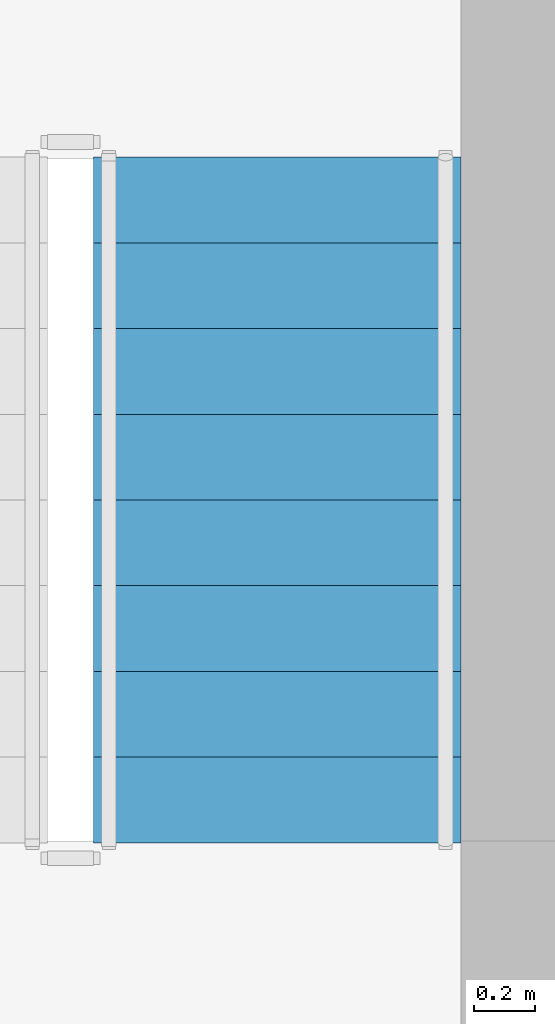
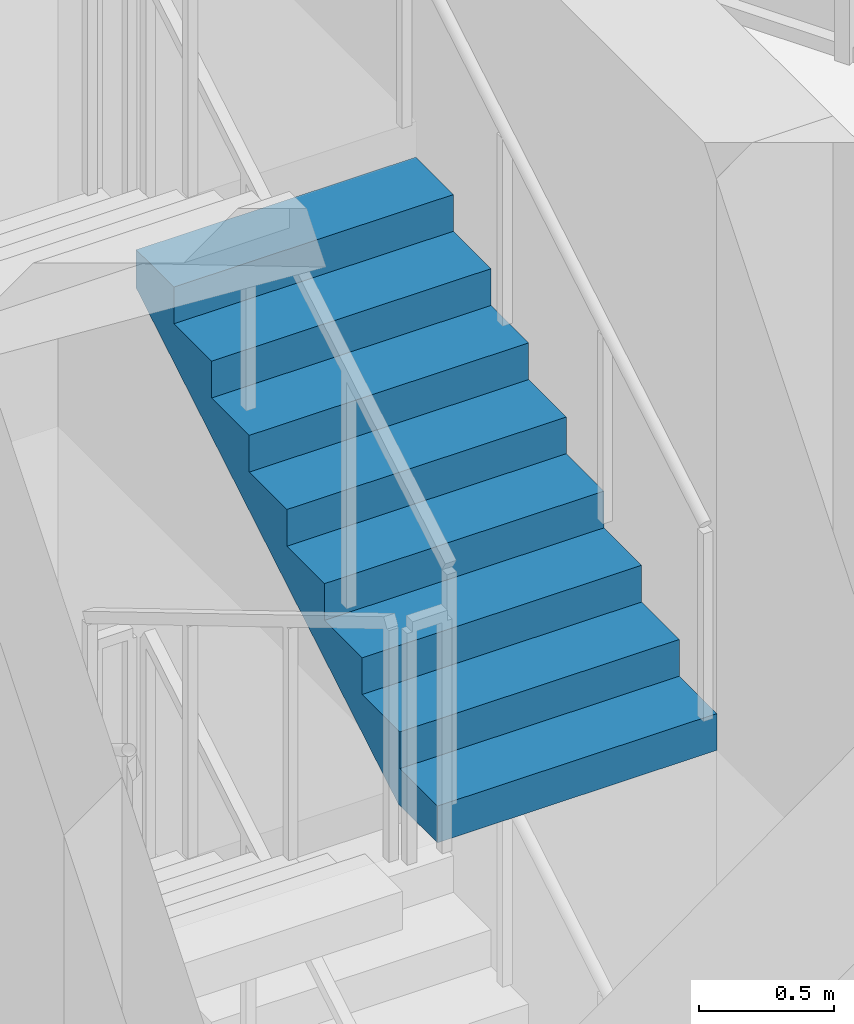
# One storey, part 11 of 14: 1 stair flight, 1 element without a shape of its own.
"""IFC4 building model written with IfcOpenShell, lengths in metres."""

from ifc_helpers import new_model, si_unit, direction, frame, origin, place, context, subcontext, project, spatial, polyline, outline, extrude, material, type_object, element, aggregate, save


model = new_model("IFC4")

# Units and contexts
model_context = context("Model", 3, precision=1e-05, world=origin(), true_north=direction((0.0, 1.0)))
body_context = subcontext(model_context, "Body", "Model", "MODEL_VIEW")
ifc_project = project(units=[si_unit("LENGTHUNIT", "METRE"), si_unit("AREAUNIT", "SQUARE_METRE"), si_unit("VOLUMEUNIT", "CUBIC_METRE"), si_unit("PLANEANGLEUNIT", "RADIAN"), si_unit("MASSUNIT", "GRAM", prefix="KILO")], contexts=[model_context])

# Site, building, storey
site_placement = place(None, origin())
site = spatial("IfcSite", under=ifc_project, at=site_placement, CompositionType="ELEMENT")
building_placement = place(site_placement, origin())
building = spatial("IfcBuilding", under=site, at=building_placement, Name="Apuvela Tower Hotel", CompositionType="ELEMENT")
storey_placement = place(building_placement, frame((0.0, 0.0, 231.699951171875)))
storey = spatial("IfcBuildingStorey", under=building, at=storey_placement, Name="L57", CompositionType="ELEMENT", Elevation=231.699951171875)

# Stair, stair flight
ifc_material = material(Name="Concrete C50/60", Category="concrete")
stair_type = type_object("IfcStairType", Name="COR-STAIR-36R", PredefinedType="HALF_TURN_STAIR", material=ifc_material)
stair_placement = place(storey_placement, origin())
stair = element("IfcStair", 1, at=stair_placement, inside=storey, type_object=stair_type, Name="L57 Exit stair ST1", PredefinedType="HALF_TURN_STAIR")
stair_flight_type = type_object("IfcStairFlightType", Name="COR-FLIGHT-9R", PredefinedType="STRAIGHT", material=ifc_material)
stair_flight_placement = place(storey_placement, frame((4.39990234375, 14.60009765625, 3.0), z_axis=(0.0, 0.0, 1.0), x_axis=(0.0, 1.0, 0.0)))
stair_flight = element("IfcStairFlight", 2, at=stair_flight_placement, type_object=stair_flight_type, Name="ST1 flight 3", NumberOfRisers=9, NumberOfTreads=8, PredefinedType="STRAIGHT", RiserHeight=0.166666667, TreadLength=0.28, context=body_context, shape_type="SweptSolid", body=[
    extrude(outline(polyline([(0.0, 0.0), (0.0, 0.166748046875), (0.280029296875, 0.166748046875), (0.280029296875, 0.333251953125), (0.56005859375, 0.333251953125), (0.56005859375, 0.5), (0.840087890625, 0.5), (0.840087890625, 0.666748046875), (1.1201171875, 0.666748046875), (1.1201171875, 0.833251953125), (1.39990234375, 0.833251953125), (1.39990234375, 1.0), (1.679931640625, 1.0), (1.679931640625, 1.166748046875), (1.9599609375, 1.166748046875), (1.9599609375, 1.333251953125), (2.239990234375, 1.333251953125), (2.239990234375, 1.5), (2.239990234375, 1.158935546875), (0.29296875, 0.0), (0.0, 0.0)])), frame((0.0, 0.60009765625, 0.0), z_axis=(0.0, -1.0, 0.0), x_axis=(1.0, 0.0, 0.0)), (0.0, 0.0, 1.0), 1.199951171875),
])
aggregate(stair, [stair_flight])

save(model, "model.ifc")
